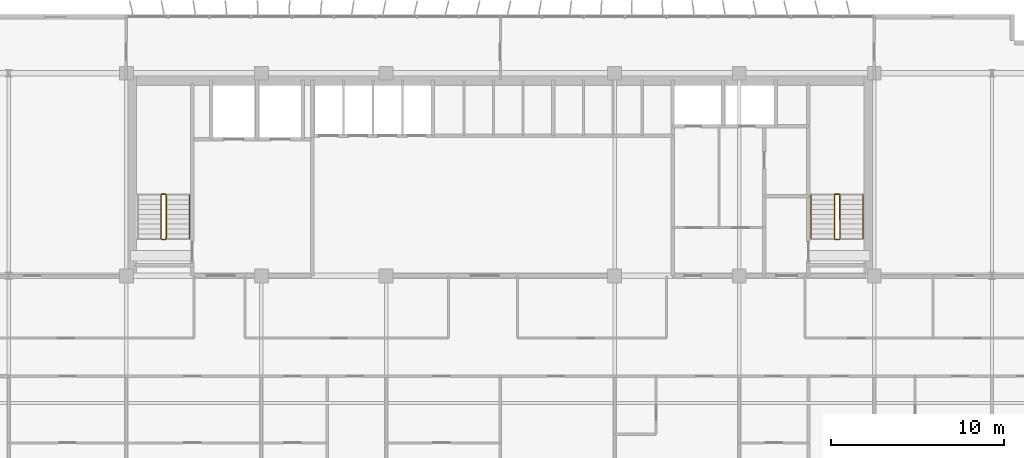
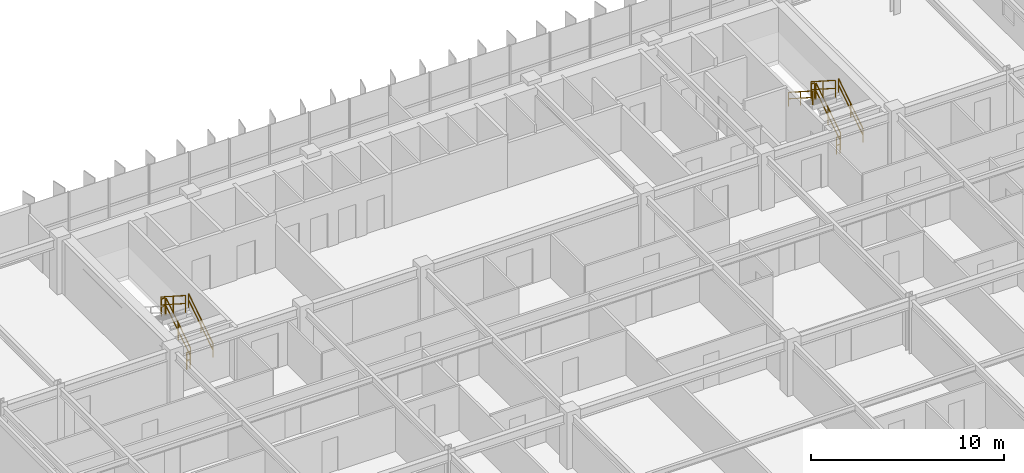
# One storey, part 20 of 21: 11 railings.
"""IFC4 building model written with IfcOpenShell, lengths in metres."""

from ifc_helpers import new_model, si_unit, direction, frame, origin, origin_2d, place, context, subcontext, project, spatial, rectangle, extrude, material, type_object, element, save


model = new_model("IFC4")

# Units and contexts
model_context = context("Model", 3, precision=1e-05, world=origin(), true_north=direction((0.0, 1.0)))
body_context = subcontext(model_context, "Body", "Model", "MODEL_VIEW")
ifc_project = project(units=[si_unit("LENGTHUNIT", "METRE"), si_unit("AREAUNIT", "SQUARE_METRE"), si_unit("VOLUMEUNIT", "CUBIC_METRE"), si_unit("PLANEANGLEUNIT", "RADIAN"), si_unit("MASSUNIT", "GRAM", prefix="KILO")], contexts=[model_context])

# Site, building, storey
site_placement = place(None, origin())
site = spatial("IfcSite", under=ifc_project, at=site_placement, CompositionType="ELEMENT")
building_placement = place(site_placement, origin())
building = spatial("IfcBuilding", under=site, at=building_placement, Name="Trelvane Seafront Commons", CompositionType="ELEMENT")
storey_placement = place(building_placement, frame((0.0, 0.0, 110.5)))
storey = spatial("IfcBuildingStorey", under=building, at=storey_placement, Name="L28", CompositionType="ELEMENT", Elevation=110.5)

# Railings
ifc_material = material(Name="Stainless steel balustrade", Category="steel")
railing_type_1 = type_object("IfcRailingType", Name="ARCH-SRL-GUARD", PredefinedType="GUARDRAIL", material=ifc_material)
railing_1_placement = place(storey_placement, frame((17.89990234375, 35.550048828125, 0.179931640625)))
element("IfcRailing", 1, at=railing_1_placement, inside=storey, type_object=railing_type_1, Name="L28 ST-1 stair guard 1", PredefinedType="GUARDRAIL", context=body_context, shape_type="SweptSolid", body=[
    extrude(rectangle(XDim=0.048095703125, YDim=0.048095703125, at=origin_2d()), frame((0.0, 0.0, 1.076171875), z_axis=(0.0, 0.841162588446, 0.540782303519), x_axis=(-1.0, 0.0, 0.0)), (0.0, 0.0, 1.0), 2.995849609375),
    extrude(rectangle(XDim=0.048095703125, YDim=0.048095703125, at=origin_2d()), frame((0.0, 0.0, 0.572021484375), z_axis=(0.0, 0.841162588446, 0.540782303519), x_axis=(-1.0, 0.0, 0.0)), (0.0, 0.0, 1.0), 2.995849609375),
    extrude(rectangle(XDim=0.0419921875, YDim=0.0419921875, at=origin_2d()), origin(), (0.0, 0.0, 1.0), 1.076171875),
    extrude(rectangle(XDim=0.0419921875, YDim=0.0419921875, at=origin_2d()), frame((0.0, 1.260009765625, 0.81005859375)), (0.0, 0.0, 1.0), 1.076171875),
    extrude(rectangle(XDim=0.0419921875, YDim=0.0419921875, at=origin_2d()), frame((0.0, 2.52001953125, 1.6201171875)), (0.0, 0.0, 1.0), 1.076171875),
])
railing_2_placement = place(storey_placement, frame((17.85009765625, 38.1201171875, 1.800048828125)))
element("IfcRailing", 2, at=railing_2_placement, inside=storey, type_object=railing_type_1, Name="L28 ST-1 stair guard 2", PredefinedType="GUARDRAIL", context=body_context, shape_type="SweptSolid", body=[
    extrude(rectangle(XDim=0.048095703125, YDim=0.048095703125, at=origin_2d()), frame((0.0, 0.0, 1.076171875), z_axis=(-1.0, 0.0, 0.0), x_axis=(0.0, -1.0, 0.0)), (0.0, 0.0, 1.0), 0.2001953125),
    extrude(rectangle(XDim=0.048095703125, YDim=0.048095703125, at=origin_2d()), frame((0.0, 0.0, 0.572021484375), z_axis=(-1.0, 0.0, 0.0), x_axis=(0.0, -1.0, 0.0)), (0.0, 0.0, 1.0), 0.2001953125),
    extrude(rectangle(XDim=0.0419921875, YDim=0.0419921875, at=origin_2d()), origin(), (0.0, 0.0, 1.0), 1.076171875),
    extrude(rectangle(XDim=0.0419921875, YDim=0.0419921875, at=origin_2d()), frame((-0.2001953125, 0.0, 0.0)), (0.0, 0.0, 1.0), 1.076171875),
])
railing_3_placement = place(storey_placement, frame((17.60009765625, 38.070068359375, 1.97998046875)))
element("IfcRailing", 3, at=railing_3_placement, inside=storey, type_object=railing_type_1, Name="L28 ST-1 stair guard 3", PredefinedType="GUARDRAIL", context=body_context, shape_type="SweptSolid", body=[
    extrude(rectangle(XDim=0.048095703125, YDim=0.048095703125, at=origin_2d()), frame((0.0, 0.0, 1.076171875), z_axis=(0.0, -0.841162588446, 0.540782303519), x_axis=(1.0, 0.0, 0.0)), (0.0, 0.0, 1.0), 2.995849609375),
    extrude(rectangle(XDim=0.048095703125, YDim=0.048095703125, at=origin_2d()), frame((0.0, 0.0, 0.572021484375), z_axis=(0.0, -0.841162588446, 0.540782303519), x_axis=(1.0, 0.0, 0.0)), (0.0, 0.0, 1.0), 2.995849609375),
    extrude(rectangle(XDim=0.0419921875, YDim=0.0419921875, at=origin_2d()), origin(), (0.0, 0.0, 1.0), 1.076171875),
    extrude(rectangle(XDim=0.0419921875, YDim=0.0419921875, at=origin_2d()), frame((0.0, -1.260009765625, 0.81005859375)), (0.0, 0.0, 1.0), 1.076171875),
    extrude(rectangle(XDim=0.0419921875, YDim=0.0419921875, at=origin_2d()), frame((0.0, -2.52001953125, 1.6201171875)), (0.0, 0.0, 1.0), 1.076171875),
])
railing_4_placement = place(storey_placement, frame((17.85009765625, 35.5, 0.0)))
element("IfcRailing", 4, at=railing_4_placement, inside=storey, type_object=railing_type_1, Name="L28 ST-1 stair guard 4", PredefinedType="GUARDRAIL", context=body_context, shape_type="SweptSolid", body=[
    extrude(rectangle(XDim=0.048095703125, YDim=0.048095703125, at=origin_2d()), frame((0.0, 0.0, 1.076171875), z_axis=(-1.0, 0.0, 0.0), x_axis=(0.0, -1.0, 0.0)), (0.0, 0.0, 1.0), 0.2001953125),
    extrude(rectangle(XDim=0.048095703125, YDim=0.048095703125, at=origin_2d()), frame((0.0, 0.0, 0.572021484375), z_axis=(-1.0, 0.0, 0.0), x_axis=(0.0, -1.0, 0.0)), (0.0, 0.0, 1.0), 0.2001953125),
    extrude(rectangle(XDim=0.0419921875, YDim=0.0419921875, at=origin_2d()), origin(), (0.0, 0.0, 1.0), 1.076171875),
    extrude(rectangle(XDim=0.0419921875, YDim=0.0419921875, at=origin_2d()), frame((-0.2001953125, 0.0, 0.0)), (0.0, 0.0, 1.0), 1.076171875),
])
railing_5_placement = place(storey_placement, frame((56.800048828125, 35.550048828125, 0.179931640625)))
element("IfcRailing", 5, at=railing_5_placement, inside=storey, type_object=railing_type_1, Name="L28 ST-2 stair guard 1", PredefinedType="GUARDRAIL", context=body_context, shape_type="SweptSolid", body=[
    extrude(rectangle(XDim=0.048095703125, YDim=0.048095703125, at=origin_2d()), frame((0.0, 0.0, 1.076171875), z_axis=(0.0, 0.841162588446, 0.540782303519), x_axis=(-1.0, 0.0, 0.0)), (0.0, 0.0, 1.0), 2.995849609375),
    extrude(rectangle(XDim=0.048095703125, YDim=0.048095703125, at=origin_2d()), frame((0.0, 0.0, 0.572021484375), z_axis=(0.0, 0.841162588446, 0.540782303519), x_axis=(-1.0, 0.0, 0.0)), (0.0, 0.0, 1.0), 2.995849609375),
    extrude(rectangle(XDim=0.0419921875, YDim=0.0419921875, at=origin_2d()), origin(), (0.0, 0.0, 1.0), 1.076171875),
    extrude(rectangle(XDim=0.0419921875, YDim=0.0419921875, at=origin_2d()), frame((0.0, 1.260009765625, 0.81005859375)), (0.0, 0.0, 1.0), 1.076171875),
    extrude(rectangle(XDim=0.0419921875, YDim=0.0419921875, at=origin_2d()), frame((0.0, 2.52001953125, 1.6201171875)), (0.0, 0.0, 1.0), 1.076171875),
])
railing_6_placement = place(storey_placement, frame((56.75, 38.1201171875, 1.800048828125)))
element("IfcRailing", 6, at=railing_6_placement, inside=storey, type_object=railing_type_1, Name="L28 ST-2 stair guard 2", PredefinedType="GUARDRAIL", context=body_context, shape_type="SweptSolid", body=[
    extrude(rectangle(XDim=0.048095703125, YDim=0.048095703125, at=origin_2d()), frame((0.0, 0.0, 1.076171875), z_axis=(-1.0, 0.0, 0.0), x_axis=(0.0, -1.0, 0.0)), (0.0, 0.0, 1.0), 0.199951171875),
    extrude(rectangle(XDim=0.048095703125, YDim=0.048095703125, at=origin_2d()), frame((0.0, 0.0, 0.572021484375), z_axis=(-1.0, 0.0, 0.0), x_axis=(0.0, -1.0, 0.0)), (0.0, 0.0, 1.0), 0.199951171875),
    extrude(rectangle(XDim=0.0419921875, YDim=0.0419921875, at=origin_2d()), origin(), (0.0, 0.0, 1.0), 1.076171875),
    extrude(rectangle(XDim=0.0419921875, YDim=0.0419921875, at=origin_2d()), frame((-0.199951171875, 0.0, 0.0)), (0.0, 0.0, 1.0), 1.076171875),
])
railing_7_placement = place(storey_placement, frame((56.5, 38.070068359375, 1.97998046875)))
element("IfcRailing", 7, at=railing_7_placement, inside=storey, type_object=railing_type_1, Name="L28 ST-2 stair guard 3", PredefinedType="GUARDRAIL", context=body_context, shape_type="SweptSolid", body=[
    extrude(rectangle(XDim=0.048095703125, YDim=0.048095703125, at=origin_2d()), frame((0.0, 0.0, 1.076171875), z_axis=(0.0, -0.841162588446, 0.540782303519), x_axis=(1.0, 0.0, 0.0)), (0.0, 0.0, 1.0), 2.995849609375),
    extrude(rectangle(XDim=0.048095703125, YDim=0.048095703125, at=origin_2d()), frame((0.0, 0.0, 0.572021484375), z_axis=(0.0, -0.841162588446, 0.540782303519), x_axis=(1.0, 0.0, 0.0)), (0.0, 0.0, 1.0), 2.995849609375),
    extrude(rectangle(XDim=0.0419921875, YDim=0.0419921875, at=origin_2d()), origin(), (0.0, 0.0, 1.0), 1.076171875),
    extrude(rectangle(XDim=0.0419921875, YDim=0.0419921875, at=origin_2d()), frame((0.0, -1.260009765625, 0.81005859375)), (0.0, 0.0, 1.0), 1.076171875),
    extrude(rectangle(XDim=0.0419921875, YDim=0.0419921875, at=origin_2d()), frame((0.0, -2.52001953125, 1.6201171875)), (0.0, 0.0, 1.0), 1.076171875),
])
railing_8_placement = place(storey_placement, frame((56.75, 35.5, 0.0)))
element("IfcRailing", 8, at=railing_8_placement, inside=storey, type_object=railing_type_1, Name="L28 ST-2 stair guard 4", PredefinedType="GUARDRAIL", context=body_context, shape_type="SweptSolid", body=[
    extrude(rectangle(XDim=0.048095703125, YDim=0.048095703125, at=origin_2d()), frame((0.0, 0.0, 1.076171875), z_axis=(-1.0, 0.0, 0.0), x_axis=(0.0, -1.0, 0.0)), (0.0, 0.0, 1.0), 0.199951171875),
    extrude(rectangle(XDim=0.048095703125, YDim=0.048095703125, at=origin_2d()), frame((0.0, 0.0, 0.572021484375), z_axis=(-1.0, 0.0, 0.0), x_axis=(0.0, -1.0, 0.0)), (0.0, 0.0, 1.0), 0.199951171875),
    extrude(rectangle(XDim=0.0419921875, YDim=0.0419921875, at=origin_2d()), origin(), (0.0, 0.0, 1.0), 1.076171875),
    extrude(rectangle(XDim=0.0419921875, YDim=0.0419921875, at=origin_2d()), frame((-0.199951171875, 0.0, 0.0)), (0.0, 0.0, 1.0), 1.076171875),
])
railing_type_2 = type_object("IfcRailingType", Name="ARCH-SRL-HAND", PredefinedType="HANDRAIL", material=ifc_material)
for number, where, name in (
    (9, (19.25, 35.550048828125, 0.179931640625), "L28 ST-1 stair handrail 1"),
    (10, (58.14990234375, 35.550048828125, 0.179931640625), "L28 ST-2 stair handrail 1"),
):
    element("IfcRailing", number, at=place(storey_placement, frame(where)), inside=storey, type_object=railing_type_2, Name=name, PredefinedType="HANDRAIL", context=body_context, shape_type="SweptSolid", body=[
        extrude(rectangle(XDim=0.048095703125, YDim=0.048095703125, at=origin_2d()), frame((0.0, 0.0, 0.8759765625), z_axis=(0.0, 0.841162588446, 0.540782303519), x_axis=(-1.0, 0.0, 0.0)), (0.0, 0.0, 1.0), 2.995849609375),
        extrude(rectangle(XDim=0.048095703125, YDim=0.048095703125, at=origin_2d()), frame((0.0, 0.0, 0.468017578125), z_axis=(0.0, 0.841162588446, 0.540782303519), x_axis=(-1.0, 0.0, 0.0)), (0.0, 0.0, 1.0), 2.995849609375),
        extrude(rectangle(XDim=0.0419921875, YDim=0.0419921875, at=origin_2d()), origin(), (0.0, 0.0, 1.0), 0.8759765625),
        extrude(rectangle(XDim=0.0419921875, YDim=0.0419921875, at=origin_2d()), frame((0.0, 1.260009765625, 0.81005859375)), (0.0, 0.0, 1.0), 0.8759765625),
        extrude(rectangle(XDim=0.0419921875, YDim=0.0419921875, at=origin_2d()), frame((0.0, 2.52001953125, 1.6201171875)), (0.0, 0.0, 1.0), 0.8759765625),
    ])
railing_9_placement = place(storey_placement, frame((55.14990234375, 38.070068359375, 1.97998046875)))
element("IfcRailing", 11, at=railing_9_placement, inside=storey, type_object=railing_type_2, Name="L28 ST-2 stair handrail 2", PredefinedType="HANDRAIL", context=body_context, shape_type="SweptSolid", body=[
    extrude(rectangle(XDim=0.048095703125, YDim=0.048095703125, at=origin_2d()), frame((0.0, 0.0, 0.8759765625), z_axis=(0.0, -0.841162588446, 0.540782303519), x_axis=(1.0, 0.0, 0.0)), (0.0, 0.0, 1.0), 2.995849609375),
    extrude(rectangle(XDim=0.048095703125, YDim=0.048095703125, at=origin_2d()), frame((0.0, 0.0, 0.468017578125), z_axis=(0.0, -0.841162588446, 0.540782303519), x_axis=(1.0, 0.0, 0.0)), (0.0, 0.0, 1.0), 2.995849609375),
    extrude(rectangle(XDim=0.0419921875, YDim=0.0419921875, at=origin_2d()), origin(), (0.0, 0.0, 1.0), 0.8759765625),
    extrude(rectangle(XDim=0.0419921875, YDim=0.0419921875, at=origin_2d()), frame((0.0, -1.260009765625, 0.81005859375)), (0.0, 0.0, 1.0), 0.8759765625),
    extrude(rectangle(XDim=0.0419921875, YDim=0.0419921875, at=origin_2d()), frame((0.0, -2.52001953125, 1.6201171875)), (0.0, 0.0, 1.0), 0.8759765625),
])

save(model, "model.ifc")
